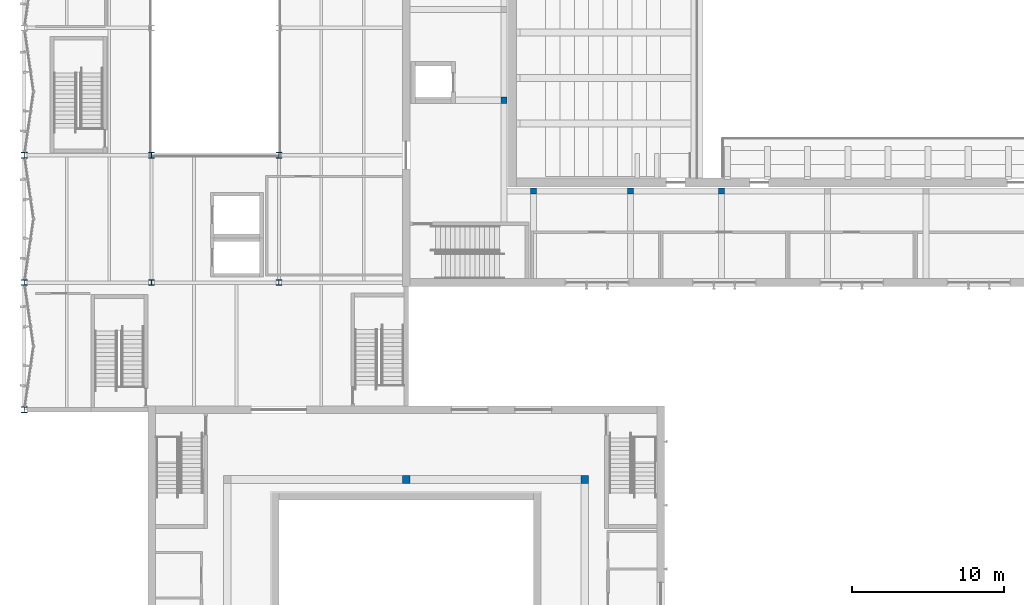
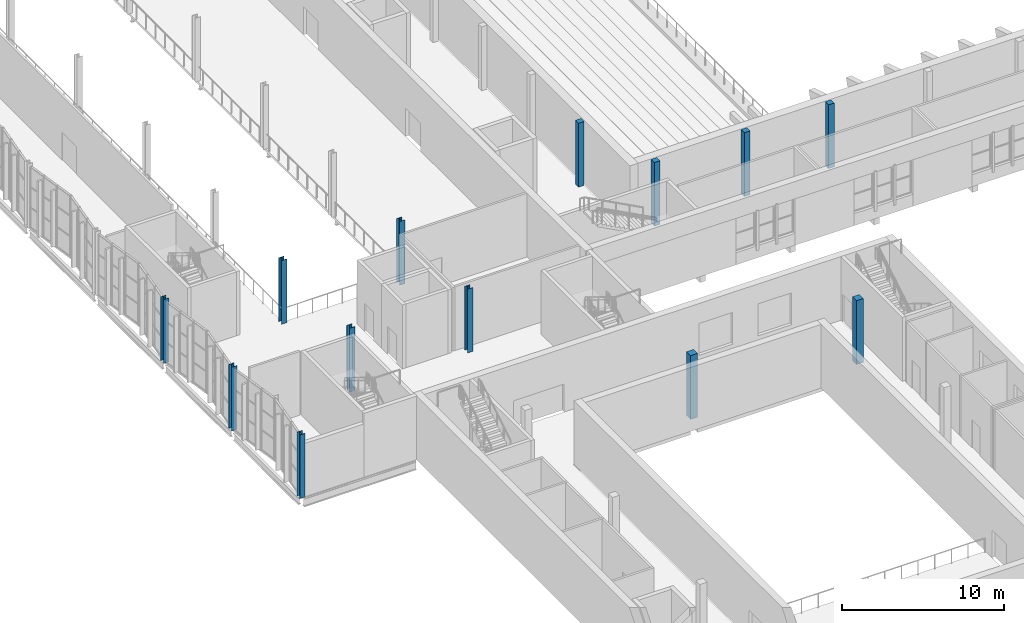
# One storey, part 2 of 127: 13 columns.
"""IFC4 building model written with IfcOpenShell, lengths in metres."""

import ifcopenshell
import ifcopenshell.guid

model = None  # the IFC model being written
_history = None  # IfcOwnerHistory: only IFC2X3 demands one
_inside = {}  # id of a spatial element -> (the spatial element, [elements in it])
_under = {}  # id of a project, library or spatial element -> (it, [spatial elements below it])
_declared = {}  # id of a project -> (the project, [libraries it declares])
_typed = {}  # id of a type object -> (the type object, [elements of that type])
_made_of = {}  # id of a material, layer set ... -> (it, [elements and type objects made of it])


def new_model(schema):
    """Start an empty IFC model of exactly this schema.

    Asked for "IFC4X3", IfcOpenShell would pick the latest addendum, in which some entities
    have other attributes; the version numbers below select the first issue.
    IFC2X3 requires an IfcOwnerHistory on every rooted entity: one is made here for all.
    """
    global model, _history
    if schema == "IFC4X3":
        model = ifcopenshell.file(schema_version=(4, 3, 0, 0))
    else:
        model = ifcopenshell.file(schema=schema)
    _inside.clear()
    _under.clear()
    _declared.clear()
    _typed.clear()
    _made_of.clear()
    _history = None
    if model.schema == "IFC2X3":
        org = make("IfcOrganization", Name="unknown")
        user = make(
            "IfcPersonAndOrganization",
            ThePerson=make("IfcPerson", FamilyName="unknown"),
            TheOrganization=org,
        )
        app = make(
            "IfcApplication",
            ApplicationDeveloper=org,
            Version="unknown",
            ApplicationFullName="unknown",
            ApplicationIdentifier="unknown",
        )
        _history = make(
            "IfcOwnerHistory",
            OwningUser=user,
            OwningApplication=app,
            ChangeAction="ADDED",
            CreationDate=0,
        )
    return model


def make(cls, **values):
    """One entity of the class cls with the attributes given. An attribute that is None is left unset."""
    return model.create_entity(
        cls, **{name: value for name, value in values.items() if value is not None}
    )


def rooted(cls, **values):
    """An entity with a GlobalId (a new one), such as an element, a storey or a relation."""
    return make(cls, GlobalId=ifcopenshell.guid.new(), OwnerHistory=_history, **values)


def si_unit(unit_type, name, prefix=None):
    """IfcSIUnit, for example si_unit("LENGTHUNIT", "METRE", prefix="MILLI")."""
    return make("IfcSIUnit", UnitType=unit_type, Prefix=prefix, Name=name)


def assignment(units):
    """IfcUnitAssignment: the units of a project."""
    return None if units is None else make("IfcUnitAssignment", Units=units)


def point(xyz):
    """IfcCartesianPoint."""
    return None if xyz is None else make("IfcCartesianPoint", Coordinates=xyz)


def direction(xyz):
    """IfcDirection."""
    return None if xyz is None else make("IfcDirection", DirectionRatios=xyz)


def frame(location, z_axis=None, x_axis=None):
    """IfcAxis2Placement3D, a coordinate frame: its origin and axes. An axis left out is left unset."""
    return make(
        "IfcAxis2Placement3D",
        Location=point(location),
        Axis=direction(z_axis),
        RefDirection=direction(x_axis),
    )


def frame_2d(location, x_axis=None):
    """IfcAxis2Placement2D, a coordinate frame in the plane: its origin and x axis."""
    return make(
        "IfcAxis2Placement2D", Location=point(location), RefDirection=direction(x_axis)
    )


def origin():
    """The frame at (0, 0, 0) with its axes left unset."""
    return frame((0.0, 0.0, 0.0))


def origin_2d():
    """The frame at (0, 0) in the plane with its x axis left unset."""
    return frame_2d((0.0, 0.0))


def place(relative_to, where):
    """IfcLocalPlacement: puts the frame where relative to a parent placement (None: the world)."""
    return make(
        "IfcLocalPlacement", PlacementRelTo=relative_to, RelativePlacement=where
    )


def context(
    kind, dimensions, precision=None, world=None, true_north=None, identifier=None
):
    """IfcGeometricRepresentationContext, for example the 3D "Model" context."""
    return make(
        "IfcGeometricRepresentationContext",
        ContextIdentifier=identifier,
        ContextType=kind,
        CoordinateSpaceDimension=dimensions,
        Precision=precision,
        WorldCoordinateSystem=world,
        TrueNorth=true_north,
    )


def subcontext(parent, identifier, kind, view, scale=None):
    """IfcGeometricRepresentationSubContext, for example "Body" below "Model"."""
    return make(
        "IfcGeometricRepresentationSubContext",
        ContextIdentifier=identifier,
        ContextType=kind,
        ParentContext=parent,
        TargetScale=scale,
        TargetView=view,
    )


def project(units=None, contexts=None):
    """IfcProject with its units and contexts."""
    return rooted(
        "IfcProject",
        Name="project",
        RepresentationContexts=contexts,
        UnitsInContext=assignment(units),
    )


def spatial(cls, under=None, at=None, **own):
    """A site, building, storey or space (cls), placed at a placement, below another one or the project."""
    s = rooted(cls, ObjectPlacement=at, **own)
    if under is not None:
        _under.setdefault(under.id(), (under, []))[1].append(s)
    return s


def profile(cls, at=None, kind="AREA", **sizes):
    """A parametric profile (cls). Its sizes go by their IFC names, for example OverallWidth=200.0."""
    return make(cls, ProfileType=kind, Position=at, **sizes)


def rectangle(**sizes):
    """IfcRectangleProfileDef."""
    return profile("IfcRectangleProfileDef", **sizes)


def i_section(**sizes):
    """IfcIShapeProfileDef."""
    return profile("IfcIShapeProfileDef", **sizes)


def extrude(swept, where, along, depth):
    """IfcExtrudedAreaSolid: the profile swept, set in the frame where, extruded along a direction by depth."""
    return make(
        "IfcExtrudedAreaSolid",
        SweptArea=swept,
        Position=where,
        ExtrudedDirection=direction(along),
        Depth=depth,
    )


def shape(context_of_items, identifier, shape_type, items):
    """IfcShapeRepresentation: the items that make up one representation, for example the "Body"."""
    return make(
        "IfcShapeRepresentation",
        ContextOfItems=context_of_items,
        RepresentationIdentifier=identifier,
        RepresentationType=shape_type,
        Items=items,
    )


def material(Name=None, Category=None):
    """IfcMaterial."""
    return make("IfcMaterial", Name=Name, Category=Category)


def material_profile(
    of_material, cross_section, Name=None, Category=None, Priority=None
):
    """IfcMaterialProfile: a cross section and its material."""
    return make(
        "IfcMaterialProfile",
        Name=Name,
        Material=of_material,
        Profile=cross_section,
        Priority=Priority,
        Category=Category,
    )


def profile_set(profiles, Name=None, composite=None):
    """IfcMaterialProfileSet."""
    return make(
        "IfcMaterialProfileSet",
        Name=Name,
        MaterialProfiles=profiles,
        CompositeProfile=composite,
    )


def made_of(thing, what):
    """Note that an element or type object is made of a material, layer set ...; save() writes the relation."""
    if what is not None:
        _made_of.setdefault(what.id(), (what, []))[1].append(thing)
    return thing


def type_object(cls, material=None, **own):
    """A type object (cls), such as IfcWallType, which elements share."""
    return made_of(rooted(cls, **own), material)


def element(
    cls,
    number,
    at=None,
    inside=None,
    cuts=None,
    type_object=None,
    material=None,
    context=None,
    identifier="Body",
    shape_type=None,
    held_by="IfcProductDefinitionShape",
    body=None,
    shapes=None,
    **own,
):
    """One element of the class cls, such as IfcWall. Its Tag is "e" and its number.

    at: its placement. inside: the storey or other place that contains it. cuts: it is an
    opening in that element (IfcRelVoidsElement). A single representation is given by context,
    identifier, shape_type and body (its items); several are given by shapes. held_by: the class
    of the entity that holds the representations. save() writes the other relations.
    """
    e = rooted(cls, Tag="e%d" % number, ObjectPlacement=at, **own)
    if body is not None:
        shapes = [shape(context, identifier, shape_type, body)]
    if shapes is not None:
        e.Representation = make(held_by, Representations=shapes)
    if inside is not None:
        _inside.setdefault(inside.id(), (inside, []))[1].append(e)
    if cuts is not None:
        rooted(
            "IfcRelVoidsElement", RelatingBuildingElement=cuts, RelatedOpeningElement=e
        )
    if type_object is not None:
        _typed.setdefault(type_object.id(), (type_object, []))[1].append(e)
    return made_of(e, material)


def aggregate(whole, parts):
    """IfcRelAggregates: a whole, such as a stair, and the parts it consists of."""
    return rooted("IfcRelAggregates", RelatingObject=whole, RelatedObjects=parts)


def save(model, path):
    """Write the relations noted so far, then the file.

    IfcRelAggregates (storeys below a building ...), IfcRelContainedInSpatialStructure (elements
    in a storey), IfcRelDefinesByType, IfcRelAssociatesMaterial and IfcRelDeclares: one each for
    every whole, place, type object, material and project.
    """
    for whole, parts in _under.values():
        aggregate(whole, parts)
    for where, things in _inside.values():
        rooted(
            "IfcRelContainedInSpatialStructure",
            RelatedElements=things,
            RelatingStructure=where,
        )
    for kind, things in _typed.values():
        rooted("IfcRelDefinesByType", RelatedObjects=things, RelatingType=kind)
    for what, things in _made_of.values():
        rooted("IfcRelAssociatesMaterial", RelatedObjects=things, RelatingMaterial=what)
    for by, libraries in _declared.values():
        rooted("IfcRelDeclares", RelatingContext=by, RelatedDefinitions=libraries)
    model.write(path)


model = new_model("IFC4")

# Units and contexts
model_context = context("Model", 3, precision=1e-05, world=origin(), true_north=direction((0.0, 1.0)))
body_context = subcontext(model_context, "Body", "Model", "MODEL_VIEW")
ifc_project = project(units=[si_unit("LENGTHUNIT", "METRE"), si_unit("AREAUNIT", "SQUARE_METRE"), si_unit("VOLUMEUNIT", "CUBIC_METRE"), si_unit("PLANEANGLEUNIT", "RADIAN"), si_unit("MASSUNIT", "GRAM", prefix="KILO")], contexts=[model_context])

# Site, building, storey
site_placement = place(None, origin())
site = spatial("IfcSite", under=ifc_project, at=site_placement, CompositionType="ELEMENT")
building_placement = place(site_placement, origin())
building = spatial("IfcBuilding", under=site, at=building_placement, Name="Ljudholm Concert House", CompositionType="ELEMENT")
storey_placement = place(building_placement, frame((0.0, 0.0, 5.39990234375)))
storey = spatial("IfcBuildingStorey", under=building, at=storey_placement, Name="L01", CompositionType="ELEMENT", Elevation=5.39990234375)

# Columns
ifc_material_1 = material(Name="Concrete 6,500 psi", Category="concrete")
ifc_material_profile_1 = material_profile(ifc_material_1, rectangle(XDim=0.39990234375, YDim=0.39990234375, at=origin_2d()), Name="RC COLUMN 400x400")
ifc_profile_set_1 = profile_set([ifc_material_profile_1], Name="Concrete 6,500 psi")
column_type_1 = type_object("IfcColumnType", Name="RC COLUMN 400x400", PredefinedType="COLUMN", material=ifc_profile_set_1)
for number, where, z_axis, x_axis, name in (
    (1, (37.60009765625, 60.449951171875, 0.0), (0.0, 0.0, 1.0), (1.0, 0.0, 0.0), "Ring column"),
    (2, (44.0, 60.449951171875, 0.0), (0.0, 0.0, 1.0), (1.0, 0.0, 0.0), "Ring column"),
    (3, (50.0, 60.449951171875, 0.0), (0.0, 0.0, 1.0), (1.0, 0.0, 0.0), "Ring column"),
    (4, (35.64990234375, 66.429931640625, 0.0), (0.0, 0.0, 1.0), (1.0, 0.0, 0.0), "Ring column"),
):
    element("IfcColumn", number, at=place(storey_placement, frame(where, z_axis=z_axis, x_axis=x_axis)), inside=storey, type_object=column_type_1, Name=name, PredefinedType="COLUMN", context=body_context, shape_type="SweptSolid", body=[
        extrude(rectangle(XDim=0.39990234375, YDim=0.39990234375, at=origin_2d()), origin(), (0.0, 0.0, 1.0), 4.800048828125),
    ])
ifc_material_2 = material(Name="Concrete 6,500 psi", Category="concrete")
ifc_material_profile_2 = material_profile(ifc_material_2, rectangle(XDim=0.5, YDim=0.5, at=origin_2d()), Name="RC COLUMN 500x500")
ifc_profile_set_2 = profile_set([ifc_material_profile_2], Name="Concrete 6,500 psi")
column_type_2 = type_object("IfcColumnType", Name="RC COLUMN 500x500", PredefinedType="COLUMN", material=ifc_profile_set_2)
for number, where, z_axis, x_axis, name in (
    (5, (29.199951171875, 41.39990234375, 0.0), (0.0, 0.0, 1.0), (1.0, 0.0, 0.0), "Ring column"),
    (6, (41.0, 41.39990234375, 0.0), (0.0, 0.0, 1.0), (1.0, 0.0, 0.0), "Ring column"),
):
    element("IfcColumn", number, at=place(storey_placement, frame(where, z_axis=z_axis, x_axis=x_axis)), inside=storey, type_object=column_type_2, Name=name, PredefinedType="COLUMN", context=body_context, shape_type="SweptSolid", body=[
        extrude(rectangle(XDim=0.5, YDim=0.5, at=origin_2d()), origin(), (0.0, 0.0, 1.0), 4.800048828125),
    ])
ifc_material_3 = material(Name="Steel ASTM A992", Category="steel")
ifc_material_profile_3 = material_profile(ifc_material_3, i_section(OverallWidth=0.373291015625, OverallDepth=0.373291015625, WebThickness=0.016357421875, FlangeThickness=0.026123046875, FilletRadius=0.01513671875, at=origin_2d()), Name="W14X132")
ifc_profile_set_3 = profile_set([ifc_material_profile_3], Name="Steel ASTM A992")
column_type_3 = type_object("IfcColumnType", Name="STEEL COLUMN W14X132", PredefinedType="COLUMN", material=ifc_profile_set_3)
for number, where, z_axis, x_axis, name in (
    (7, (4.0, 46.0, 0.0), (0.0, 0.0, 1.0), (1.0, 0.0, 0.0), "Column W14X132"),
    (8, (4.0, 54.39990234375, 0.0), (0.0, 0.0, 1.0), (1.0, 0.0, 0.0), "Column W14X132"),
    (9, (4.0, 62.800048828125, 0.0), (0.0, 0.0, 1.0), (1.0, 0.0, 0.0), "Column W14X132"),
    (10, (12.39990234375, 54.39990234375, 0.0), (0.0, 0.0, 1.0), (1.0, 0.0, 0.0), "Column W14X132"),
    (11, (12.39990234375, 62.800048828125, 0.0), (0.0, 0.0, 1.0), (1.0, 0.0, 0.0), "Column W14X132"),
    (12, (20.800048828125, 54.39990234375, 0.0), (0.0, 0.0, 1.0), (1.0, 0.0, 0.0), "Column W14X132"),
    (13, (20.800048828125, 62.800048828125, 0.0), (0.0, 0.0, 1.0), (1.0, 0.0, 0.0), "Column W14X132"),
):
    element("IfcColumn", number, at=place(storey_placement, frame(where, z_axis=z_axis, x_axis=x_axis)), inside=storey, type_object=column_type_3, Name=name, PredefinedType="COLUMN", context=body_context, shape_type="SweptSolid", body=[
        extrude(i_section(OverallWidth=0.373291015625, OverallDepth=0.373291015625, WebThickness=0.016357421875, FlangeThickness=0.026123046875, FilletRadius=0.01513671875, at=origin_2d()), origin(), (0.0, 0.0, 1.0), 4.800048828125),
    ])

save(model, "model.ifc")
